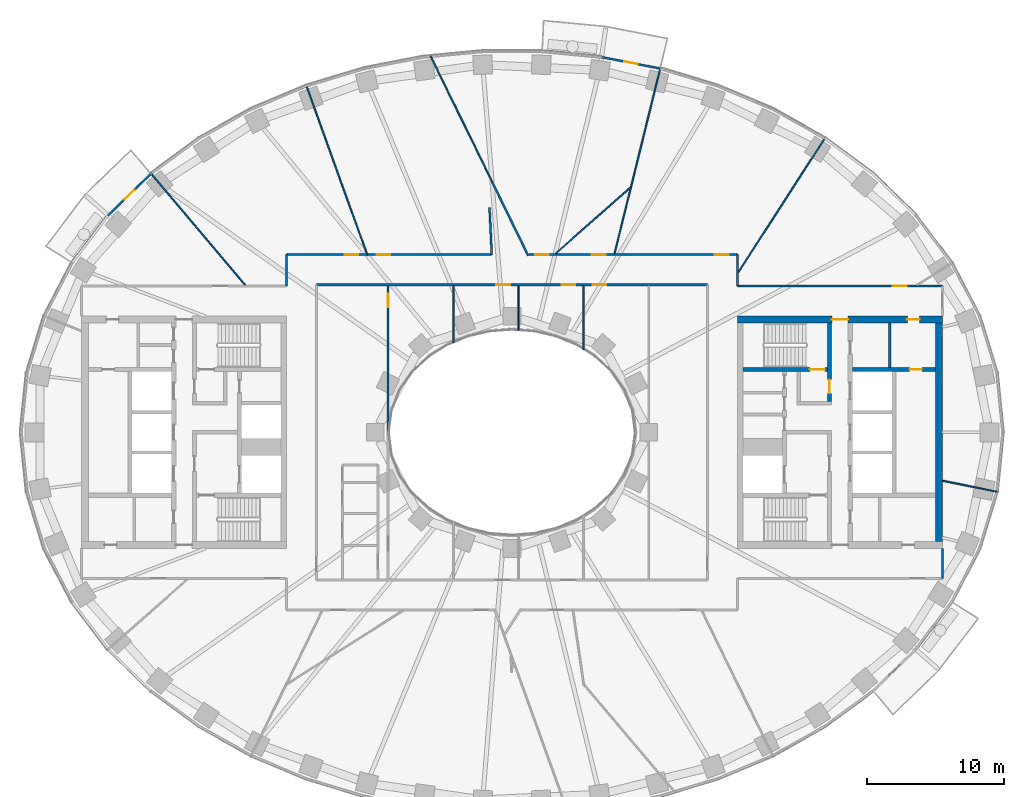
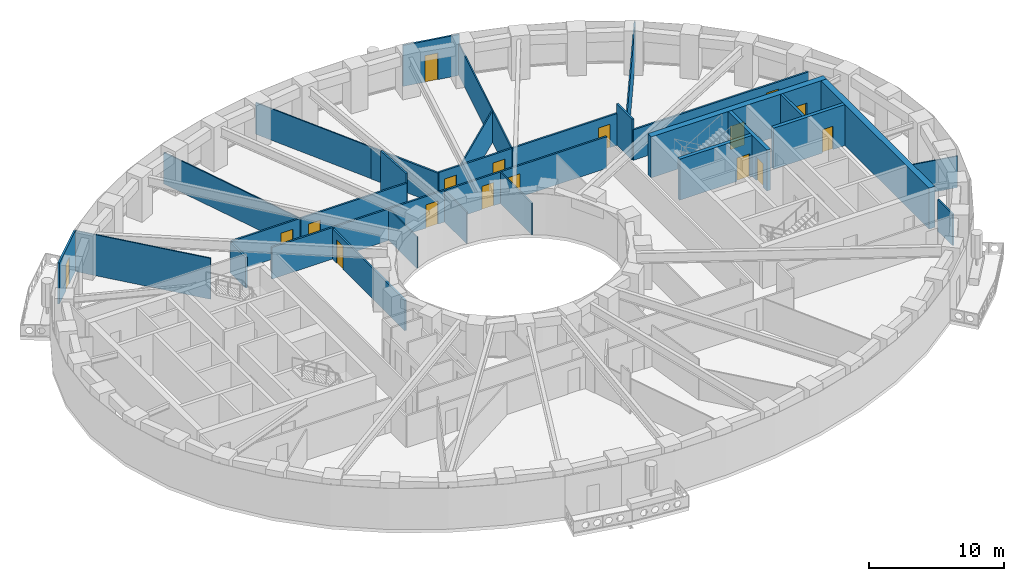
# One storey, part 6 of 16: 30 walls, 17 doors, 17 openings.
"""IFC4 building model written with IfcOpenShell, lengths in metres."""

import ifcopenshell
import ifcopenshell.guid

model = None  # the IFC model being written
_history = None  # IfcOwnerHistory: only IFC2X3 demands one
_inside = {}  # id of a spatial element -> (the spatial element, [elements in it])
_under = {}  # id of a project, library or spatial element -> (it, [spatial elements below it])
_declared = {}  # id of a project -> (the project, [libraries it declares])
_typed = {}  # id of a type object -> (the type object, [elements of that type])
_made_of = {}  # id of a material, layer set ... -> (it, [elements and type objects made of it])


def new_model(schema):
    """Start an empty IFC model of exactly this schema.

    Asked for "IFC4X3", IfcOpenShell would pick the latest addendum, in which some entities
    have other attributes; the version numbers below select the first issue.
    IFC2X3 requires an IfcOwnerHistory on every rooted entity: one is made here for all.
    """
    global model, _history
    if schema == "IFC4X3":
        model = ifcopenshell.file(schema_version=(4, 3, 0, 0))
    else:
        model = ifcopenshell.file(schema=schema)
    _inside.clear()
    _under.clear()
    _declared.clear()
    _typed.clear()
    _made_of.clear()
    _history = None
    if model.schema == "IFC2X3":
        org = make("IfcOrganization", Name="unknown")
        user = make(
            "IfcPersonAndOrganization",
            ThePerson=make("IfcPerson", FamilyName="unknown"),
            TheOrganization=org,
        )
        app = make(
            "IfcApplication",
            ApplicationDeveloper=org,
            Version="unknown",
            ApplicationFullName="unknown",
            ApplicationIdentifier="unknown",
        )
        _history = make(
            "IfcOwnerHistory",
            OwningUser=user,
            OwningApplication=app,
            ChangeAction="ADDED",
            CreationDate=0,
        )
    return model


def make(cls, **values):
    """One entity of the class cls with the attributes given. An attribute that is None is left unset."""
    return model.create_entity(
        cls, **{name: value for name, value in values.items() if value is not None}
    )


def rooted(cls, **values):
    """An entity with a GlobalId (a new one), such as an element, a storey or a relation."""
    return make(cls, GlobalId=ifcopenshell.guid.new(), OwnerHistory=_history, **values)


def si_unit(unit_type, name, prefix=None):
    """IfcSIUnit, for example si_unit("LENGTHUNIT", "METRE", prefix="MILLI")."""
    return make("IfcSIUnit", UnitType=unit_type, Prefix=prefix, Name=name)


def assignment(units):
    """IfcUnitAssignment: the units of a project."""
    return None if units is None else make("IfcUnitAssignment", Units=units)


def point(xyz):
    """IfcCartesianPoint."""
    return None if xyz is None else make("IfcCartesianPoint", Coordinates=xyz)


def direction(xyz):
    """IfcDirection."""
    return None if xyz is None else make("IfcDirection", DirectionRatios=xyz)


def frame(location, z_axis=None, x_axis=None):
    """IfcAxis2Placement3D, a coordinate frame: its origin and axes. An axis left out is left unset."""
    return make(
        "IfcAxis2Placement3D",
        Location=point(location),
        Axis=direction(z_axis),
        RefDirection=direction(x_axis),
    )


def frame_2d(location, x_axis=None):
    """IfcAxis2Placement2D, a coordinate frame in the plane: its origin and x axis."""
    return make(
        "IfcAxis2Placement2D", Location=point(location), RefDirection=direction(x_axis)
    )


def origin():
    """The frame at (0, 0, 0) with its axes left unset."""
    return frame((0.0, 0.0, 0.0))


def place(relative_to, where):
    """IfcLocalPlacement: puts the frame where relative to a parent placement (None: the world)."""
    return make(
        "IfcLocalPlacement", PlacementRelTo=relative_to, RelativePlacement=where
    )


def context(
    kind, dimensions, precision=None, world=None, true_north=None, identifier=None
):
    """IfcGeometricRepresentationContext, for example the 3D "Model" context."""
    return make(
        "IfcGeometricRepresentationContext",
        ContextIdentifier=identifier,
        ContextType=kind,
        CoordinateSpaceDimension=dimensions,
        Precision=precision,
        WorldCoordinateSystem=world,
        TrueNorth=true_north,
    )


def subcontext(parent, identifier, kind, view, scale=None):
    """IfcGeometricRepresentationSubContext, for example "Body" below "Model"."""
    return make(
        "IfcGeometricRepresentationSubContext",
        ContextIdentifier=identifier,
        ContextType=kind,
        ParentContext=parent,
        TargetScale=scale,
        TargetView=view,
    )


def project(units=None, contexts=None):
    """IfcProject with its units and contexts."""
    return rooted(
        "IfcProject",
        Name="project",
        RepresentationContexts=contexts,
        UnitsInContext=assignment(units),
    )


def spatial(cls, under=None, at=None, **own):
    """A site, building, storey or space (cls), placed at a placement, below another one or the project."""
    s = rooted(cls, ObjectPlacement=at, **own)
    if under is not None:
        _under.setdefault(under.id(), (under, []))[1].append(s)
    return s


def profile(cls, at=None, kind="AREA", **sizes):
    """A parametric profile (cls). Its sizes go by their IFC names, for example OverallWidth=200.0."""
    return make(cls, ProfileType=kind, Position=at, **sizes)


def rectangle(**sizes):
    """IfcRectangleProfileDef."""
    return profile("IfcRectangleProfileDef", **sizes)


def extrude(swept, where, along, depth):
    """IfcExtrudedAreaSolid: the profile swept, set in the frame where, extruded along a direction by depth."""
    return make(
        "IfcExtrudedAreaSolid",
        SweptArea=swept,
        Position=where,
        ExtrudedDirection=direction(along),
        Depth=depth,
    )


def shape(context_of_items, identifier, shape_type, items):
    """IfcShapeRepresentation: the items that make up one representation, for example the "Body"."""
    return make(
        "IfcShapeRepresentation",
        ContextOfItems=context_of_items,
        RepresentationIdentifier=identifier,
        RepresentationType=shape_type,
        Items=items,
    )


def material(Name=None, Category=None):
    """IfcMaterial."""
    return make("IfcMaterial", Name=Name, Category=Category)


def layer(
    of_material, thickness, ventilated=None, Name=None, Category=None, Priority=None
):
    """IfcMaterialLayer: one layer of a wall or slab, of a material (None: an air gap)."""
    return make(
        "IfcMaterialLayer",
        Material=of_material,
        LayerThickness=thickness,
        IsVentilated=ventilated,
        Name=Name,
        Category=Category,
        Priority=Priority,
    )


def layer_set(layers, Name=None):
    """IfcMaterialLayerSet."""
    return make("IfcMaterialLayerSet", MaterialLayers=layers, LayerSetName=Name)


def made_of(thing, what):
    """Note that an element or type object is made of a material, layer set ...; save() writes the relation."""
    if what is not None:
        _made_of.setdefault(what.id(), (what, []))[1].append(thing)
    return thing


def type_object(cls, material=None, **own):
    """A type object (cls), such as IfcWallType, which elements share."""
    return made_of(rooted(cls, **own), material)


def element(
    cls,
    number,
    at=None,
    inside=None,
    cuts=None,
    type_object=None,
    material=None,
    context=None,
    identifier="Body",
    shape_type=None,
    held_by="IfcProductDefinitionShape",
    body=None,
    shapes=None,
    **own,
):
    """One element of the class cls, such as IfcWall. Its Tag is "e" and its number.

    at: its placement. inside: the storey or other place that contains it. cuts: it is an
    opening in that element (IfcRelVoidsElement). A single representation is given by context,
    identifier, shape_type and body (its items); several are given by shapes. held_by: the class
    of the entity that holds the representations. save() writes the other relations.
    """
    e = rooted(cls, Tag="e%d" % number, ObjectPlacement=at, **own)
    if body is not None:
        shapes = [shape(context, identifier, shape_type, body)]
    if shapes is not None:
        e.Representation = make(held_by, Representations=shapes)
    if inside is not None:
        _inside.setdefault(inside.id(), (inside, []))[1].append(e)
    if cuts is not None:
        rooted(
            "IfcRelVoidsElement", RelatingBuildingElement=cuts, RelatedOpeningElement=e
        )
    if type_object is not None:
        _typed.setdefault(type_object.id(), (type_object, []))[1].append(e)
    return made_of(e, material)


def fill(opening, filler):
    """IfcRelFillsElement: the door or window that sits in an opening."""
    return rooted(
        "IfcRelFillsElement",
        RelatingOpeningElement=opening,
        RelatedBuildingElement=filler,
    )


def aggregate(whole, parts):
    """IfcRelAggregates: a whole, such as a stair, and the parts it consists of."""
    return rooted("IfcRelAggregates", RelatingObject=whole, RelatedObjects=parts)


def save(model, path):
    """Write the relations noted so far, then the file.

    IfcRelAggregates (storeys below a building ...), IfcRelContainedInSpatialStructure (elements
    in a storey), IfcRelDefinesByType, IfcRelAssociatesMaterial and IfcRelDeclares: one each for
    every whole, place, type object, material and project.
    """
    for whole, parts in _under.values():
        aggregate(whole, parts)
    for where, things in _inside.values():
        rooted(
            "IfcRelContainedInSpatialStructure",
            RelatedElements=things,
            RelatingStructure=where,
        )
    for kind, things in _typed.values():
        rooted("IfcRelDefinesByType", RelatedObjects=things, RelatingType=kind)
    for what, things in _made_of.values():
        rooted("IfcRelAssociatesMaterial", RelatedObjects=things, RelatingMaterial=what)
    for by, libraries in _declared.values():
        rooted("IfcRelDeclares", RelatingContext=by, RelatedDefinitions=libraries)
    model.write(path)


model = new_model("IFC4")

# Units and contexts
model_context = context("Model", 3, precision=1e-05, world=origin(), true_north=direction((0.0, 1.0)))
body_context = subcontext(model_context, "Body", "Model", "MODEL_VIEW")
ifc_project = project(units=[si_unit("LENGTHUNIT", "METRE"), si_unit("AREAUNIT", "SQUARE_METRE"), si_unit("VOLUMEUNIT", "CUBIC_METRE"), si_unit("PLANEANGLEUNIT", "RADIAN"), si_unit("MASSUNIT", "GRAM", prefix="KILO")], contexts=[model_context])

# Site, building, storey
site_placement = place(None, origin())
site = spatial("IfcSite", under=ifc_project, at=site_placement, CompositionType="ELEMENT")
building_placement = place(site_placement, origin())
building = spatial("IfcBuilding", under=site, at=building_placement, Name="Noorbagh Ring Tower", CompositionType="ELEMENT")
storey_placement = place(building_placement, frame((0.0, 0.0, 58.5)))
storey = spatial("IfcBuildingStorey", under=building, at=storey_placement, Name="L12", CompositionType="ELEMENT", Elevation=58.5)

# Wall
ifc_material_1 = material(Name="Gypsum board on steel studs", Category="steel")
ifc_layer_1 = layer(ifc_material_1, 0.199951171875)
ifc_layer_set_1 = layer_set([ifc_layer_1], Name="Gypsum board on steel studs")
wall_type_1 = type_object("IfcWallType", Name="CORE-PARTITION-200", PredefinedType="PARTITIONING", material=ifc_layer_set_1)
wall_1_placement = place(storey_placement, frame((27.64990234375, 4.75, 0.0), z_axis=(0.0, 0.0, 1.0), x_axis=(0.0, 1.0, 0.0)))
element("IfcWall", 1, at=wall_1_placement, inside=storey, type_object=wall_type_1, Name="Core partition E", PredefinedType="PARTITIONING", context=body_context, shape_type="SweptSolid", body=[
    extrude(rectangle(XDim=3.25, YDim=0.199951171875, at=frame_2d((1.625, 0.0))), origin(), (0.0, 0.0, 1.0), 3.699951171875),
])

# Wall, opening, door
ifc_material_2 = material(Name="Concrete C70/85", Category="concrete")
ifc_layer_2 = layer(ifc_material_2, 0.300048828125)
ifc_layer_set_2 = layer_set([ifc_layer_2], Name="Concrete C70/85")
wall_type_2 = type_object("IfcWallType", Name="CORE-WALL-300-C70-85-EI240", PredefinedType="SHEAR", material=ifc_layer_set_2)
wall_2_placement = place(storey_placement, frame((24.89990234375, 4.60009765625, 0.0), z_axis=(0.0, 0.0, 1.0), x_axis=(1.0, 0.0, 0.0)))
wall_2 = element("IfcWall", 2, at=wall_2_placement, inside=storey, type_object=wall_type_2, Name="Core wall E", PredefinedType="SHEAR", context=body_context, shape_type="SweptSolid", body=[
    extrude(rectangle(XDim=6.10009765625, YDim=0.300048828125, at=frame_2d((3.050048828125, 0.0))), origin(), (0.0, 0.0, 1.0), 3.699951171875),
])
opening_1_placement = place(wall_2_placement, frame((4.199951171875, 0.0, 0.0)))
opening_1 = element("IfcOpeningElement", 3, at=opening_1_placement, cuts=wall_2, Name="Opening L12-CE18", PredefinedType="OPENING", context=body_context, shape_type="SweptSolid", body=[
    extrude(rectangle(XDim=0.89990234375, YDim=2.10009765625, at=frame_2d((0.449951171875, 1.050048828125))), frame((0.0, 0.16015625, 0.0), z_axis=(0.0, -1.0, 0.0), x_axis=(1.0, 0.0, 0.0)), (0.0, 0.0, 1.0), 0.320068359375),
])
ifc_material_3 = material(Name="Steel door leaf", Category="steel")
door_type_1 = type_object("IfcDoorType", Name="CORE-DOOR-DROOM", OperationType="SINGLE_SWING_LEFT", PredefinedType="DOOR", material=ifc_material_3)
door_1_placement = place(opening_1_placement, origin())
door_1 = element("IfcDoor", 4, at=door_1_placement, inside=storey, type_object=door_type_1, Name="Core room door L12-CE18", OperationType="SINGLE_SWING_RIGHT", OverallHeight=2.10009765625, OverallWidth=0.89990234375, PredefinedType="DOOR", context=body_context, shape_type="SweptSolid", body=[
    extrude(rectangle(XDim=0.89990234375, YDim=2.10009765625, at=frame_2d((0.449951171875, 1.050048828125))), frame((0.0, 0.02490234375, 0.0), z_axis=(0.0, -1.0, 0.0), x_axis=(1.0, 0.0, 0.0)), (0.0, 0.0, 1.0), 0.050048828125),
])
fill(opening_1, door_1)

wall_3_placement = place(storey_placement, frame((23.22998046875, 2.25, 0.0), z_axis=(0.0, 0.0, 1.0), x_axis=(0.0, 1.0, 0.0)))
wall_3 = element("IfcWall", 5, at=wall_3_placement, inside=storey, type_object=wall_type_2, Name="Core wall E", PredefinedType="SHEAR", context=body_context, shape_type="SweptSolid", body=[
    extrude(rectangle(XDim=5.75, YDim=0.300048828125, at=frame_2d((2.875, 0.0))), origin(), (0.0, 0.0, 1.0), 3.699951171875),
])
opening_2_placement = place(wall_3_placement, frame((0.60009765625, 0.0, 0.0)))
opening_2 = element("IfcOpeningElement", 6, at=opening_2_placement, cuts=wall_3, Name="Opening L12-CE08", PredefinedType="OPENING", context=body_context, shape_type="SweptSolid", body=[
    extrude(rectangle(XDim=1.0, YDim=2.10009765625, at=frame_2d((0.5, 1.050048828125))), frame((0.0, 0.16015625, 0.0), z_axis=(0.0, -1.0, 0.0), x_axis=(1.0, 0.0, 0.0)), (0.0, 0.0, 1.0), 0.320068359375),
])
ifc_material_4 = material(Name="Steel door leaf", Category="steel")
door_type_2 = type_object("IfcDoorType", Name="CORE-DOOR-DVEST", OperationType="SINGLE_SWING_LEFT", PredefinedType="DOOR", material=ifc_material_4)
door_2_placement = place(opening_2_placement, origin())
door_2 = element("IfcDoor", 7, at=door_2_placement, inside=storey, type_object=door_type_2, Name="Stair vestibule door L12-CE08", OperationType="SINGLE_SWING_RIGHT", OverallHeight=2.10009765625, OverallWidth=1.0, PredefinedType="DOOR", context=body_context, shape_type="SweptSolid", body=[
    extrude(rectangle(XDim=1.0, YDim=2.10009765625, at=frame_2d((0.5, 1.050048828125))), frame((0.0, 0.02490234375, 0.0), z_axis=(0.0, -1.0, 0.0), x_axis=(1.0, 0.0, 0.0)), (0.0, 0.0, 1.0), 0.050048828125),
])
fill(opening_2, door_2)

wall_4_placement = place(storey_placement, frame((16.89990234375, 4.60009765625, 0.0), z_axis=(0.0, 0.0, 1.0), x_axis=(1.0, 0.0, 0.0)))
wall_4 = element("IfcWall", 8, at=wall_4_placement, inside=storey, type_object=wall_type_2, Name="Core wall E", PredefinedType="SHEAR", context=body_context, shape_type="SweptSolid", body=[
    extrude(rectangle(XDim=6.18017578125, YDim=0.300048828125, at=frame_2d((3.090087890625, 0.0))), origin(), (0.0, 0.0, 1.0), 3.699951171875),
])
opening_3_placement = place(wall_4_placement, frame((4.89990234375, 0.0, 0.0)))
opening_3 = element("IfcOpeningElement", 9, at=opening_3_placement, cuts=wall_4, Name="Opening L12-CE05", PredefinedType="OPENING", context=body_context, shape_type="SweptSolid", body=[
    extrude(rectangle(XDim=1.10009765625, YDim=2.10009765625, at=frame_2d((0.550048828125, 1.050048828125))), frame((0.0, 0.16015625, 0.0), z_axis=(0.0, -1.0, 0.0), x_axis=(1.0, 0.0, 0.0)), (0.0, 0.0, 1.0), 0.320068359375),
])
ifc_material_5 = material(Name="Steel door leaf", Category="steel")
door_type_3 = type_object("IfcDoorType", Name="CORE-DOOR-DSTAIR", OperationType="SINGLE_SWING_LEFT", PredefinedType="DOOR", material=ifc_material_5)
door_3_placement = place(opening_3_placement, origin())
door_3 = element("IfcDoor", 10, at=door_3_placement, inside=storey, type_object=door_type_3, Name="Stair door ST3 L12-CE05", OperationType="SINGLE_SWING_LEFT", OverallHeight=2.10009765625, OverallWidth=1.10009765625, PredefinedType="DOOR", context=body_context, shape_type="SweptSolid", body=[
    extrude(rectangle(XDim=1.10009765625, YDim=2.10009765625, at=frame_2d((0.550048828125, 1.050048828125))), frame((0.0, 0.02490234375, 0.0), z_axis=(0.0, -1.0, 0.0), x_axis=(1.0, 0.0, 0.0)), (0.0, 0.0, 1.0), 0.050048828125),
])
fill(opening_3, door_3)

# Wall, openings, doors
ifc_material_6 = material(Name="Concrete C70/85", Category="concrete")
ifc_layer_3 = layer(ifc_material_6, 0.5)
ifc_layer_set_3 = layer_set([ifc_layer_3], Name="Concrete C70/85")
wall_type_3 = type_object("IfcWallType", Name="CORE-WALL-500-C70-85-EI240", PredefinedType="SHEAR", material=ifc_layer_set_3)
wall_5_placement = place(storey_placement, frame((16.5, 8.25, 0.0), z_axis=(0.0, 0.0, 1.0), x_axis=(1.0, 0.0, 0.0)))
wall_5 = element("IfcWall", 11, at=wall_5_placement, inside=storey, type_object=wall_type_3, Name="Core wall E", PredefinedType="SHEAR", context=body_context, shape_type="SweptSolid", body=[
    extrude(rectangle(XDim=15.0, YDim=0.5, at=frame_2d((7.5, 0.0))), origin(), (0.0, 0.0, 1.0), 3.699951171875),
])
opening_4_placement = place(wall_5_placement, frame((6.89990234375, 0.0, 0.0)))
opening_4 = element("IfcOpeningElement", 12, at=opening_4_placement, cuts=wall_5, Name="Opening L12-CE09", PredefinedType="OPENING", context=body_context, shape_type="SweptSolid", body=[
    extrude(rectangle(XDim=1.199951171875, YDim=2.10009765625, at=frame_2d((0.60009765625, 1.050048828125))), frame((0.0, 0.260009765625, 0.0), z_axis=(0.0, -1.0, 0.0), x_axis=(1.0, 0.0, 0.0)), (0.0, 0.0, 1.0), 0.52001953125),
])
opening_5_placement = place(wall_5_placement, frame((12.425048828125, 0.0, 0.0)))
opening_5 = element("IfcOpeningElement", 13, at=opening_5_placement, cuts=wall_5, Name="Opening L12-CE15", PredefinedType="OPENING", context=body_context, shape_type="SweptSolid", body=[
    extrude(rectangle(XDim=0.89990234375, YDim=2.10009765625, at=frame_2d((0.449951171875, 1.050048828125))), frame((0.0, 0.260009765625, 0.0), z_axis=(0.0, -1.0, 0.0), x_axis=(1.0, 0.0, 0.0)), (0.0, 0.0, 1.0), 0.52001953125),
])
door_4_placement = place(opening_5_placement, origin())
door_4 = element("IfcDoor", 14, at=door_4_placement, inside=storey, type_object=door_type_1, Name="Core room door L12-CE15", OperationType="SINGLE_SWING_LEFT", OverallHeight=2.10009765625, OverallWidth=0.89990234375, PredefinedType="DOOR", context=body_context, shape_type="SweptSolid", body=[
    extrude(rectangle(XDim=0.89990234375, YDim=2.10009765625, at=frame_2d((0.449951171875, 1.050048828125))), frame((0.0, 0.02490234375, 0.0), z_axis=(0.0, -1.0, 0.0), x_axis=(1.0, 0.0, 0.0)), (0.0, 0.0, 1.0), 0.050048828125),
])
fill(opening_5, door_4)
ifc_material_7 = material(Name="Steel door leaf", Category="steel")
door_type_4 = type_object("IfcDoorType", Name="CORE-DOOR-PORT", OperationType="DOUBLE_DOOR_DOUBLE_SWING", PredefinedType="DOOR", material=ifc_material_7)
door_5_placement = place(opening_4_placement, origin())
door_5 = element("IfcDoor", 15, at=door_5_placement, inside=storey, type_object=door_type_4, Name="Core entrance door L12-CE09", OperationType="DOUBLE_DOOR_DOUBLE_SWING", OverallHeight=2.10009765625, OverallWidth=1.199951171875, PredefinedType="DOOR", context=body_context, shape_type="SweptSolid", body=[
    extrude(rectangle(XDim=1.199951171875, YDim=2.10009765625, at=frame_2d((0.60009765625, 1.050048828125))), frame((0.0, 0.02490234375, 0.0), z_axis=(0.0, -1.0, 0.0), x_axis=(1.0, 0.0, 0.0)), (0.0, 0.0, 1.0), 0.050048828125),
])
fill(opening_4, door_5)

# Walls
wall_6_placement = place(storey_placement, frame((31.25, -8.0, 0.0), z_axis=(0.0, 0.0, 1.0), x_axis=(0.0, 1.0, 0.0)))
element("IfcWall", 16, at=wall_6_placement, inside=storey, type_object=wall_type_3, Name="Core wall E", PredefinedType="SHEAR", context=body_context, shape_type="SweptSolid", body=[
    extrude(rectangle(XDim=16.0, YDim=0.5, at=frame_2d((8.0, 0.0))), origin(), (0.0, 0.0, 1.0), 3.699951171875),
])
ifc_material_8 = material(Name="Gypsum board on steel studs", Category="steel")
ifc_layer_4 = layer(ifc_material_8, 0.14990234375)
ifc_layer_set_4 = layer_set([ifc_layer_4], Name="Gypsum board on steel studs")
wall_type_4 = type_object("IfcWallType", Name="CORRIDOR PARTITION 150 EI 30", PredefinedType="PARTITIONING", material=ifc_layer_set_4)
wall_7_placement = place(storey_placement, frame((-16.5, 10.699951171875, 0.0), z_axis=(0.0, 0.0, 1.0), x_axis=(0.0, 1.0, 0.0)))
element("IfcWall", 17, at=wall_7_placement, inside=storey, type_object=wall_type_4, Name="L12/wall/P12", PredefinedType="PARTITIONING", context=body_context, shape_type="SweptSolid", body=[
    extrude(rectangle(XDim=2.300048828125, YDim=0.14990234375, at=frame_2d((1.14990234375, 0.0))), origin(), (0.0, 0.0, 1.0), 2.75),
])

# Wall, opening, door
wall_8_placement = place(storey_placement, frame((-16.5, 13.0, 0.0), z_axis=(0.0, 0.0, 1.0), x_axis=(1.0, 0.0, 0.0)))
wall_8 = element("IfcWall", 18, at=wall_8_placement, inside=storey, type_object=wall_type_4, Name="L12/wall/P13", PredefinedType="PARTITIONING", context=body_context, shape_type="SweptSolid", body=[
    extrude(rectangle(XDim=5.89306640625, YDim=0.14990234375, at=frame_2d((2.946533203125, 0.0))), origin(), (0.0, 0.0, 1.0), 2.85009765625),
])
opening_6_placement = place(wall_8_placement, frame((4.2548828125, 0.0, 0.0)))
opening_6 = element("IfcOpeningElement", 19, at=opening_6_placement, cuts=wall_8, Name="Opening D1", PredefinedType="OPENING", context=body_context, shape_type="SweptSolid", body=[
    extrude(rectangle(XDim=1.0, YDim=2.10009765625, at=frame_2d((0.5, 1.050048828125))), frame((0.0, 0.0849609375, 0.0), z_axis=(0.0, -1.0, 0.0), x_axis=(1.0, 0.0, 0.0)), (0.0, 0.0, 1.0), 0.169921875),
])
ifc_material_9 = material(Name="Timber, painted", Category="wood")
door_type_5 = type_object("IfcDoorType", Name="DOOR 1000 X 2100 FD30", OperationType="SINGLE_SWING_LEFT", PredefinedType="DOOR", material=ifc_material_9)
door_6_placement = place(opening_6_placement, origin())
door_6 = element("IfcDoor", 20, at=door_6_placement, inside=storey, type_object=door_type_5, Name="L12-D09", OperationType="SINGLE_SWING_LEFT", OverallHeight=2.10009765625, OverallWidth=1.0, PredefinedType="DOOR", context=body_context, shape_type="SweptSolid", body=[
    extrude(rectangle(XDim=1.0, YDim=2.10009765625, at=frame_2d((0.5, 1.050048828125))), frame((0.0, 0.02490234375, 0.0), z_axis=(0.0, -1.0, 0.0), x_axis=(1.0, 0.0, 0.0)), (0.0, 0.0, 1.0), 0.050048828125),
])
fill(opening_6, door_6)

# Wall, openings, doors
wall_9_placement = place(storey_placement, frame((-14.300048828125, 10.800048828125, 0.0), z_axis=(0.0, 0.0, 1.0), x_axis=(1.0, 0.0, 0.0)))
wall_9 = element("IfcWall", 21, at=wall_9_placement, inside=storey, type_object=wall_type_4, Name="L12/wall/P17", PredefinedType="PARTITIONING", context=body_context, shape_type="SweptSolid", body=[
    extrude(rectangle(XDim=28.60009765625, YDim=0.14990234375, at=frame_2d((14.300048828125, 0.0))), origin(), (0.0, 0.0, 1.0), 2.85009765625),
])
opening_7_placement = place(wall_9_placement, frame((13.159912109375, 0.0, 0.0)))
opening_7 = element("IfcOpeningElement", 22, at=opening_7_placement, cuts=wall_9, Name="Opening D1", PredefinedType="OPENING", context=body_context, shape_type="SweptSolid", body=[
    extrude(rectangle(XDim=1.0, YDim=2.10009765625, at=frame_2d((0.5, 1.050048828125))), frame((0.0, 0.0849609375, 0.0), z_axis=(0.0, -1.0, 0.0), x_axis=(1.0, 0.0, 0.0)), (0.0, 0.0, 1.0), 0.169921875),
])
opening_8_placement = place(wall_9_placement, frame((17.927001953125, 0.0, 0.0)))
opening_8 = element("IfcOpeningElement", 23, at=opening_8_placement, cuts=wall_9, Name="Opening D1", PredefinedType="OPENING", context=body_context, shape_type="SweptSolid", body=[
    extrude(rectangle(XDim=1.0, YDim=2.10009765625, at=frame_2d((0.5, 1.050048828125))), frame((0.0, 0.0849609375, 0.0), z_axis=(0.0, -1.0, 0.0), x_axis=(1.0, 0.0, 0.0)), (0.0, 0.0, 1.0), 0.169921875),
])
opening_9_placement = place(wall_9_placement, frame((20.193115234375, 0.0, 0.0)))
opening_9 = element("IfcOpeningElement", 24, at=opening_9_placement, cuts=wall_9, Name="Opening D1", PredefinedType="OPENING", context=body_context, shape_type="SweptSolid", body=[
    extrude(rectangle(XDim=1.0, YDim=2.10009765625, at=frame_2d((0.5, 1.050048828125))), frame((0.0, 0.0849609375, 0.0), z_axis=(0.0, -1.0, 0.0), x_axis=(1.0, 0.0, 0.0)), (0.0, 0.0, 1.0), 0.169921875),
])
door_7_placement = place(opening_7_placement, origin())
door_7 = element("IfcDoor", 25, at=door_7_placement, inside=storey, type_object=door_type_5, Name="L12-D24", OperationType="SINGLE_SWING_RIGHT", OverallHeight=2.10009765625, OverallWidth=1.0, PredefinedType="DOOR", context=body_context, shape_type="SweptSolid", body=[
    extrude(rectangle(XDim=1.0, YDim=2.10009765625, at=frame_2d((0.5, 1.050048828125))), frame((0.0, 0.02490234375, 0.0), z_axis=(0.0, -1.0, 0.0), x_axis=(1.0, 0.0, 0.0)), (0.0, 0.0, 1.0), 0.050048828125),
])
fill(opening_7, door_7)
door_8_placement = place(opening_8_placement, origin())
door_8 = element("IfcDoor", 26, at=door_8_placement, inside=storey, type_object=door_type_5, Name="L12-D26", OperationType="SINGLE_SWING_RIGHT", OverallHeight=2.10009765625, OverallWidth=1.0, PredefinedType="DOOR", context=body_context, shape_type="SweptSolid", body=[
    extrude(rectangle(XDim=1.0, YDim=2.10009765625, at=frame_2d((0.5, 1.050048828125))), frame((0.0, 0.02490234375, 0.0), z_axis=(0.0, -1.0, 0.0), x_axis=(1.0, 0.0, 0.0)), (0.0, 0.0, 1.0), 0.050048828125),
])
fill(opening_8, door_8)
door_9_placement = place(opening_9_placement, origin())
door_9 = element("IfcDoor", 27, at=door_9_placement, inside=storey, type_object=door_type_5, Name="L12-D27", OperationType="SINGLE_SWING_LEFT", OverallHeight=2.10009765625, OverallWidth=1.0, PredefinedType="DOOR", context=body_context, shape_type="SweptSolid", body=[
    extrude(rectangle(XDim=1.0, YDim=2.10009765625, at=frame_2d((0.5, 1.050048828125))), frame((0.0, 0.02490234375, 0.0), z_axis=(0.0, -1.0, 0.0), x_axis=(1.0, 0.0, 0.0)), (0.0, 0.0, 1.0), 0.050048828125),
])
fill(opening_9, door_9)

# Wall, opening, door
wall_10_placement = place(storey_placement, frame((-10.5419921875, 13.0, 0.0), z_axis=(0.0, 0.0, 1.0), x_axis=(1.0, 0.0, 0.0)))
wall_10 = element("IfcWall", 28, at=wall_10_placement, inside=storey, type_object=wall_type_4, Name="L12/wall/P24", PredefinedType="PARTITIONING", context=body_context, shape_type="SweptSolid", body=[
    extrude(rectangle(XDim=9.041015625, YDim=0.14990234375, at=frame_2d((4.5205078125, 0.0))), origin(), (0.0, 0.0, 1.0), 2.85009765625),
])
opening_10_placement = place(wall_10_placement, frame((0.64111328125, 0.0, 0.0)))
opening_10 = element("IfcOpeningElement", 29, at=opening_10_placement, cuts=wall_10, Name="Opening D1", PredefinedType="OPENING", context=body_context, shape_type="SweptSolid", body=[
    extrude(rectangle(XDim=1.0, YDim=2.10009765625, at=frame_2d((0.5, 1.050048828125))), frame((0.0, 0.0849609375, 0.0), z_axis=(0.0, -1.0, 0.0), x_axis=(1.0, 0.0, 0.0)), (0.0, 0.0, 1.0), 0.169921875),
])
door_10_placement = place(opening_10_placement, origin())
door_10 = element("IfcDoor", 30, at=door_10_placement, inside=storey, type_object=door_type_5, Name="L12-D12", OperationType="SINGLE_SWING_RIGHT", OverallHeight=2.10009765625, OverallWidth=1.0, PredefinedType="DOOR", context=body_context, shape_type="SweptSolid", body=[
    extrude(rectangle(XDim=1.0, YDim=2.10009765625, at=frame_2d((0.5, 1.050048828125))), frame((0.0, 0.02490234375, 0.0), z_axis=(0.0, -1.0, 0.0), x_axis=(1.0, 0.0, 0.0)), (0.0, 0.0, 1.0), 0.050048828125),
])
fill(opening_10, door_10)

wall_11_placement = place(storey_placement, frame((-9.056884765625, 0.044921875, 0.0), z_axis=(0.0, 0.0, 1.0), x_axis=(0.0, 1.0, 0.0)))
wall_11 = element("IfcWall", 31, at=wall_11_placement, inside=storey, type_object=wall_type_4, Name="L12/wall/P28", PredefinedType="PARTITIONING", context=body_context, shape_type="SweptSolid", body=[
    extrude(rectangle(XDim=10.68017578125, YDim=0.14990234375, at=frame_2d((5.340087890625, 0.0))), origin(), (0.0, 0.0, 1.0), 2.75),
])
opening_11_placement = place(wall_11_placement, frame((9.110107421875, 0.0, 0.0)))
opening_11 = element("IfcOpeningElement", 32, at=opening_11_placement, cuts=wall_11, Name="Opening D1", PredefinedType="OPENING", context=body_context, shape_type="SweptSolid", body=[
    extrude(rectangle(XDim=1.0, YDim=2.10009765625, at=frame_2d((0.5, 1.050048828125))), frame((0.0, 0.0849609375, 0.0), z_axis=(0.0, -1.0, 0.0), x_axis=(1.0, 0.0, 0.0)), (0.0, 0.0, 1.0), 0.169921875),
])
door_11_placement = place(opening_11_placement, origin())
door_11 = element("IfcDoor", 33, at=door_11_placement, inside=storey, type_object=door_type_5, Name="L12-D22", OperationType="SINGLE_SWING_RIGHT", OverallHeight=2.10009765625, OverallWidth=1.0, PredefinedType="DOOR", context=body_context, shape_type="SweptSolid", body=[
    extrude(rectangle(XDim=1.0, YDim=2.10009765625, at=frame_2d((0.5, 1.050048828125))), frame((0.0, 0.02490234375, 0.0), z_axis=(0.0, -1.0, 0.0), x_axis=(1.0, 0.0, 0.0)), (0.0, 0.0, 1.0), 0.050048828125),
])
fill(opening_11, door_11)

# Walls
wall_12_placement = place(storey_placement, frame((-1.64599609375, 16.4560546875, 0.0), z_axis=(0.0, 0.0, 1.0), x_axis=(0.047417639272, -0.9988751511, 0.0)))
element("IfcWall", 34, at=wall_12_placement, inside=storey, type_object=wall_type_4, Name="L12/wall/P32", PredefinedType="PARTITIONING", context=body_context, shape_type="SweptSolid", body=[
    extrude(rectangle(XDim=3.4599609375, YDim=0.14990234375, at=frame_2d((1.72998046875, 0.0))), origin(), (0.0, 0.0, 1.0), 3.699951171875),
])
wall_13_placement = place(storey_placement, frame((-1.43701171875, 18.2900390625, 0.0), z_axis=(0.0, 0.0, 1.0), x_axis=(0.439496028197, -0.898244533075, 0.0)))
element("IfcWall", 35, at=wall_13_placement, inside=storey, type_object=wall_type_4, Name="L12/wall/P33", PredefinedType="PARTITIONING", context=body_context, shape_type="SweptSolid", body=[
    extrude(rectangle(XDim=5.97265625, YDim=0.14990234375, at=frame_2d((2.986328125, 0.0))), origin(), (0.0, 0.0, 1.0), 2.85009765625),
])

# Wall, openings, doors
wall_14_placement = place(storey_placement, frame((1.23291015625, 13.0, 0.0), z_axis=(0.0, 0.0, 1.0), x_axis=(1.0, 0.0, 0.0)))
wall_14 = element("IfcWall", 36, at=wall_14_placement, inside=storey, type_object=wall_type_4, Name="L12/wall/P42", PredefinedType="PARTITIONING", context=body_context, shape_type="SweptSolid", body=[
    extrude(rectangle(XDim=6.25, YDim=0.14990234375, at=frame_2d((3.125, 0.0))), origin(), (0.0, 0.0, 1.0), 2.85009765625),
])
opening_12_placement = place(wall_14_placement, frame((0.470947265625, 0.0, 0.0)))
opening_12 = element("IfcOpeningElement", 37, at=opening_12_placement, cuts=wall_14, Name="Opening D1", PredefinedType="OPENING", context=body_context, shape_type="SweptSolid", body=[
    extrude(rectangle(XDim=1.0, YDim=2.10009765625, at=frame_2d((0.5, 1.050048828125))), frame((0.0, 0.0849609375, 0.0), z_axis=(0.0, -1.0, 0.0), x_axis=(1.0, 0.0, 0.0)), (0.0, 0.0, 1.0), 0.169921875),
])
opening_13_placement = place(wall_14_placement, frame((4.615966796875, 0.0, 0.0)))
opening_13 = element("IfcOpeningElement", 38, at=opening_13_placement, cuts=wall_14, Name="Opening D1", PredefinedType="OPENING", context=body_context, shape_type="SweptSolid", body=[
    extrude(rectangle(XDim=1.0, YDim=2.10009765625, at=frame_2d((0.5, 1.050048828125))), frame((0.0, 0.0849609375, 0.0), z_axis=(0.0, -1.0, 0.0), x_axis=(1.0, 0.0, 0.0)), (0.0, 0.0, 1.0), 0.169921875),
])
door_12_placement = place(opening_12_placement, origin())
door_12 = element("IfcDoor", 39, at=door_12_placement, inside=storey, type_object=door_type_5, Name="L12-D13", OperationType="SINGLE_SWING_LEFT", OverallHeight=2.10009765625, OverallWidth=1.0, PredefinedType="DOOR", context=body_context, shape_type="SweptSolid", body=[
    extrude(rectangle(XDim=1.0, YDim=2.10009765625, at=frame_2d((0.5, 1.050048828125))), frame((0.0, 0.02490234375, 0.0), z_axis=(0.0, -1.0, 0.0), x_axis=(1.0, 0.0, 0.0)), (0.0, 0.0, 1.0), 0.050048828125),
])
fill(opening_12, door_12)
door_13_placement = place(opening_13_placement, origin())
door_13 = element("IfcDoor", 40, at=door_13_placement, inside=storey, type_object=door_type_5, Name="L12-D15", OperationType="SINGLE_SWING_LEFT", OverallHeight=2.10009765625, OverallWidth=1.0, PredefinedType="DOOR", context=body_context, shape_type="SweptSolid", body=[
    extrude(rectangle(XDim=1.0, YDim=2.10009765625, at=frame_2d((0.5, 1.050048828125))), frame((0.0, 0.02490234375, 0.0), z_axis=(0.0, -1.0, 0.0), x_axis=(1.0, 0.0, 0.0)), (0.0, 0.0, 1.0), 0.050048828125),
])
fill(opening_13, door_13)

# Wall, opening, door
wall_15_placement = place(storey_placement, frame((7.4990234375, 13.0, 0.0), z_axis=(0.0, 0.0, 1.0), x_axis=(1.0, 0.0, 0.0)))
wall_15 = element("IfcWall", 41, at=wall_15_placement, inside=storey, type_object=wall_type_4, Name="L12/wall/P50", PredefinedType="PARTITIONING", context=body_context, shape_type="SweptSolid", body=[
    extrude(rectangle(XDim=9.0009765625, YDim=0.14990234375, at=frame_2d((4.50048828125, 0.0))), origin(), (0.0, 0.0, 1.0), 2.85009765625),
])
opening_14_placement = place(wall_15_placement, frame((7.35107421875, 0.0, 0.0)))
opening_14 = element("IfcOpeningElement", 42, at=opening_14_placement, cuts=wall_15, Name="Opening D1", PredefinedType="OPENING", context=body_context, shape_type="SweptSolid", body=[
    extrude(rectangle(XDim=1.0, YDim=2.10009765625, at=frame_2d((0.5, 1.050048828125))), frame((0.0, 0.0849609375, 0.0), z_axis=(0.0, -1.0, 0.0), x_axis=(1.0, 0.0, 0.0)), (0.0, 0.0, 1.0), 0.169921875),
])
door_14_placement = place(opening_14_placement, origin())
door_14 = element("IfcDoor", 43, at=door_14_placement, inside=storey, type_object=door_type_5, Name="L12-D17", OperationType="SINGLE_SWING_LEFT", OverallHeight=2.10009765625, OverallWidth=1.0, PredefinedType="DOOR", context=body_context, shape_type="SweptSolid", body=[
    extrude(rectangle(XDim=1.0, YDim=2.10009765625, at=frame_2d((0.5, 1.050048828125))), frame((0.0, 0.02490234375, 0.0), z_axis=(0.0, -1.0, 0.0), x_axis=(1.0, 0.0, 0.0)), (0.0, 0.0, 1.0), 0.050048828125),
])
fill(opening_14, door_14)

# Wall
wall_16_placement = place(storey_placement, frame((16.5, 10.699951171875, 0.0), z_axis=(0.0, 0.0, 1.0), x_axis=(0.0, 1.0, 0.0)))
element("IfcWall", 44, at=wall_16_placement, inside=storey, type_object=wall_type_4, Name="L12/wall/P56", PredefinedType="PARTITIONING", context=body_context, shape_type="SweptSolid", body=[
    extrude(rectangle(XDim=2.300048828125, YDim=0.14990234375, at=frame_2d((1.14990234375, 0.0))), origin(), (0.0, 0.0, 1.0), 3.699951171875),
])

# Wall, opening, door
wall_17_placement = place(storey_placement, frame((16.5, 10.699951171875, 0.0), z_axis=(0.0, 0.0, 1.0), x_axis=(1.0, 0.0, 0.0)))
wall_17 = element("IfcWall", 45, at=wall_17_placement, inside=storey, type_object=wall_type_4, Name="L12/wall/P57", PredefinedType="PARTITIONING", context=body_context, shape_type="SweptSolid", body=[
    extrude(rectangle(XDim=15.0, YDim=0.14990234375, at=frame_2d((7.5, 0.0))), origin(), (0.0, 0.0, 1.0), 2.75),
])
opening_15_placement = place(wall_17_placement, frame((11.37109375, 0.0, 0.0)))
opening_15 = element("IfcOpeningElement", 46, at=opening_15_placement, cuts=wall_17, Name="Opening D1", PredefinedType="OPENING", context=body_context, shape_type="SweptSolid", body=[
    extrude(rectangle(XDim=1.0, YDim=2.10009765625, at=frame_2d((0.5, 1.050048828125))), frame((0.0, 0.0849609375, 0.0), z_axis=(0.0, -1.0, 0.0), x_axis=(1.0, 0.0, 0.0)), (0.0, 0.0, 1.0), 0.169921875),
])
door_15_placement = place(opening_15_placement, origin())
door_15 = element("IfcDoor", 47, at=door_15_placement, inside=storey, type_object=door_type_5, Name="L12-D19", OperationType="SINGLE_SWING_LEFT", OverallHeight=2.10009765625, OverallWidth=1.0, PredefinedType="DOOR", context=body_context, shape_type="SweptSolid", body=[
    extrude(rectangle(XDim=1.0, YDim=2.10009765625, at=frame_2d((0.5, 1.050048828125))), frame((0.0, 0.02490234375, 0.0), z_axis=(0.0, -1.0, 0.0), x_axis=(1.0, 0.0, 0.0)), (0.0, 0.0, 1.0), 0.050048828125),
])
fill(opening_15, door_15)

# Wall
wall_18_placement = place(storey_placement, frame((31.5, -10.699951171875, 0.0), z_axis=(0.0, 0.0, 1.0), x_axis=(0.0, 1.0, 0.0)))
element("IfcWall", 48, at=wall_18_placement, inside=storey, type_object=wall_type_4, Name="L12/wall/P60", PredefinedType="PARTITIONING", context=body_context, shape_type="SweptSolid", body=[
    extrude(rectangle(XDim=2.199951171875, YDim=0.14990234375, at=frame_2d((1.10009765625, 0.0))), origin(), (0.0, 0.0, 1.0), 2.85009765625),
])

# Wall, opening, door
ifc_material_10 = material(Name="Insulated aluminium clad panel", Category="aluminium")
ifc_layer_5 = layer(ifc_material_10, 0.14990234375)
ifc_layer_set_5 = layer_set([ifc_layer_5], Name="Insulated aluminium clad panel")
wall_type_5 = type_object("IfcWallType", Name="ENV-WALL-DOOR", PredefinedType="STANDARD", material=ifc_layer_set_5)
wall_19_placement = place(storey_placement, frame((10.87060546875, 26.616943359375, 0.0), z_axis=(0.0, 0.0, 1.0), x_axis=(-0.981631174778, 0.190788460615, 0.0)))
wall_19 = element("IfcWall", 49, at=wall_19_placement, inside=storey, type_object=wall_type_5, Name="Balcony door wall chord 10", PredefinedType="STANDARD", context=body_context, shape_type="SweptSolid", body=[
    extrude(rectangle(XDim=4.42626953125, YDim=0.14990234375, at=frame_2d((2.213134765625, 0.0))), origin(), (0.0, 0.0, 1.0), 3.699951171875),
])
opening_16_placement = place(wall_19_placement, frame((1.713134765625, 0.0, 0.0)))
opening_16 = element("IfcOpeningElement", 50, at=opening_16_placement, cuts=wall_19, Name="Opening D-BL", PredefinedType="OPENING", context=body_context, shape_type="SweptSolid", body=[
    extrude(rectangle(XDim=1.0, YDim=2.39990234375, at=frame_2d((0.5, 1.199951171875))), frame((0.0, 0.0849609375, 0.0), z_axis=(0.0, -1.0, 0.0), x_axis=(1.0, 0.0, 0.0)), (0.0, 0.0, 1.0), 0.169921875),
])
ifc_material_11 = material(Name="Aluminium and glass", Category="aluminium")
door_type_6 = type_object("IfcDoorType", Name="ENV-DOOR-BALCONY", OperationType="SINGLE_SWING_LEFT", PredefinedType="DOOR", material=ifc_material_11)
door_16_placement = place(opening_16_placement, origin())
door_16 = element("IfcDoor", 51, at=door_16_placement, inside=storey, type_object=door_type_6, Name="Balcony door chord 10", OperationType="SINGLE_SWING_LEFT", OverallHeight=2.39990234375, OverallWidth=1.0, PredefinedType="DOOR", context=body_context, shape_type="SweptSolid", body=[
    extrude(rectangle(XDim=1.0, YDim=2.39990234375, at=frame_2d((0.5, 1.199951171875))), frame((0.0, 0.02490234375, 0.0), z_axis=(0.0, -1.0, 0.0), x_axis=(1.0, 0.0, 0.0)), (0.0, 0.0, 1.0), 0.050048828125),
])
fill(opening_16, door_16)

wall_20_placement = place(storey_placement, frame((-26.396484375, 18.943359375, 0.0), z_axis=(0.0, 0.0, 1.0), x_axis=(-0.717214761864, -0.696852197647, 0.0)))
wall_20 = element("IfcWall", 52, at=wall_20_placement, inside=storey, type_object=wall_type_5, Name="Balcony door wall chord 19", PredefinedType="STANDARD", context=body_context, shape_type="SweptSolid", body=[
    extrude(rectangle(XDim=4.424072265625, YDim=0.14990234375, at=frame_2d((2.2119140625, 0.0))), origin(), (0.0, 0.0, 1.0), 3.699951171875),
])
opening_17_placement = place(wall_20_placement, frame((1.712158203125, 0.0, 0.0)))
opening_17 = element("IfcOpeningElement", 53, at=opening_17_placement, cuts=wall_20, Name="Opening D-BL", PredefinedType="OPENING", context=body_context, shape_type="SweptSolid", body=[
    extrude(rectangle(XDim=1.0, YDim=2.39990234375, at=frame_2d((0.5, 1.199951171875))), frame((0.0, 0.0849609375, 0.0), z_axis=(0.0, -1.0, 0.0), x_axis=(1.0, 0.0, 0.0)), (0.0, 0.0, 1.0), 0.169921875),
])
door_17_placement = place(opening_17_placement, origin())
door_17 = element("IfcDoor", 54, at=door_17_placement, inside=storey, type_object=door_type_6, Name="Balcony door chord 19", OperationType="SINGLE_SWING_LEFT", OverallHeight=2.39990234375, OverallWidth=1.0, PredefinedType="DOOR", context=body_context, shape_type="SweptSolid", body=[
    extrude(rectangle(XDim=1.0, YDim=2.39990234375, at=frame_2d((0.5, 1.199951171875))), frame((0.0, 0.02490234375, 0.0), z_axis=(0.0, -1.0, 0.0), x_axis=(1.0, 0.0, 0.0)), (0.0, 0.0, 1.0), 0.050048828125),
])
fill(opening_17, door_17)

# Walls
ifc_material_12 = material(Name="Gypsum board on steel studs", Category="steel")
ifc_layer_6 = layer(ifc_material_12, 0.10009765625)
ifc_layer_set_6 = layer_set([ifc_layer_6], Name="Gypsum board on steel studs")
wall_type_6 = type_object("IfcWallType", Name="PARTITION 100 GYPSUM", PredefinedType="PARTITIONING", material=ifc_layer_set_6)
wall_21_placement = place(storey_placement, frame((-26.429931640625, 18.945068359375, 0.0), z_axis=(0.0, 0.0, 1.0), x_axis=(0.646400187952, -0.762998556365, 0.0)))
element("IfcWall", 55, at=wall_21_placement, inside=storey, type_object=wall_type_6, Name="L12/wall/P07", PredefinedType="PARTITIONING", context=body_context, shape_type="SweptSolid", body=[
    extrude(rectangle(XDim=10.703857421875, YDim=0.10009765625, at=frame_2d((5.35205078125, 0.0))), origin(), (0.0, 0.0, 1.0), 3.699951171875),
])
wall_22_placement = place(storey_placement, frame((-15.048095703125, 25.383056640625, 0.0), z_axis=(0.0, 0.0, 1.0), x_axis=(0.338391637428, -0.941005366467, 0.0)))
element("IfcWall", 56, at=wall_22_placement, inside=storey, type_object=wall_type_6, Name="L12/wall/P14", PredefinedType="PARTITIONING", context=body_context, shape_type="SweptSolid", body=[
    extrude(rectangle(XDim=13.239013671875, YDim=0.10009765625, at=frame_2d((6.61962890625, 0.0))), origin(), (0.0, 0.0, 1.0), 2.85009765625),
])
wall_23_placement = place(storey_placement, frame((-5.9580078125, 27.5380859375, 0.0), z_axis=(0.0, 0.0, 1.0), x_axis=(0.439258205704, -0.898360856628, 0.0)))
element("IfcWall", 57, at=wall_23_placement, inside=storey, type_object=wall_type_6, Name="L12/wall/P29", PredefinedType="PARTITIONING", context=body_context, shape_type="SweptSolid", body=[
    extrude(rectangle(XDim=10.383544921875, YDim=0.10009765625, at=frame_2d((5.19189453125, 0.0))), origin(), (0.0, 0.0, 1.0), 2.85009765625),
])
wall_24_placement = place(storey_placement, frame((-4.2900390625, 6.568115234375, 0.0), z_axis=(0.0, 0.0, 1.0), x_axis=(0.0, 1.0, 0.0)))
element("IfcWall", 58, at=wall_24_placement, inside=storey, type_object=wall_type_6, Name="L12/wall/P31", PredefinedType="PARTITIONING", context=body_context, shape_type="SweptSolid", body=[
    extrude(rectangle(XDim=4.156982421875, YDim=0.10009765625, at=frame_2d((2.07861328125, 0.0))), origin(), (0.0, 0.0, 1.0), 2.85009765625),
])
wall_25_placement = place(storey_placement, frame((0.47705078125, 7.468017578125, 0.0), z_axis=(0.0, 0.0, 1.0), x_axis=(0.0, 1.0, 0.0)))
element("IfcWall", 59, at=wall_25_placement, inside=storey, type_object=wall_type_6, Name="L12/wall/P40", PredefinedType="PARTITIONING", context=body_context, shape_type="SweptSolid", body=[
    extrude(rectangle(XDim=3.257080078125, YDim=0.10009765625, at=frame_2d((1.62841796875, 0.0))), origin(), (0.0, 0.0, 1.0), 2.85009765625),
])
wall_26_placement = place(storey_placement, frame((3.18701171875, 13.077880859375, 0.0), z_axis=(0.0, 0.0, 1.0), x_axis=(0.749027274438, 0.662539162728, 0.0)))
element("IfcWall", 60, at=wall_26_placement, inside=storey, type_object=wall_type_6, Name="L12/wall/P43", PredefinedType="PARTITIONING", context=body_context, shape_type="SweptSolid", body=[
    extrude(rectangle(XDim=7.282958984375, YDim=0.10009765625, at=frame_2d((3.6416015625, 0.0))), origin(), (0.0, 0.0, 1.0), 2.85009765625),
])
wall_27_placement = place(storey_placement, frame((5.242919921875, 6.05908203125, 0.0), z_axis=(0.0, 0.0, 1.0), x_axis=(0.0, 1.0, 0.0)))
element("IfcWall", 61, at=wall_27_placement, inside=storey, type_object=wall_type_6, Name="L12/wall/P47", PredefinedType="PARTITIONING", context=body_context, shape_type="SweptSolid", body=[
    extrude(rectangle(XDim=4.666015625, YDim=0.10009765625, at=frame_2d((2.3330078125, 0.0))), origin(), (0.0, 0.0, 1.0), 2.85009765625),
])
wall_28_placement = place(storey_placement, frame((7.48291015625, 13.0, 0.0), z_axis=(0.0, 0.0, 1.0), x_axis=(0.239763745499, 0.97083126564, 0.0)))
element("IfcWall", 62, at=wall_28_placement, inside=storey, type_object=wall_type_6, Name="L12/wall/P49", PredefinedType="PARTITIONING", context=body_context, shape_type="SweptSolid", body=[
    extrude(rectangle(XDim=14.055908203125, YDim=0.10009765625, at=frame_2d((7.02783203125, 0.0))), origin(), (0.0, 0.0, 1.0), 2.85009765625),
])
wall_29_placement = place(storey_placement, frame((16.574951171875, 11.73291015625, 0.0), z_axis=(0.0, 0.0, 1.0), x_axis=(0.54222594427, 0.840232720953, 0.0)))
element("IfcWall", 63, at=wall_29_placement, inside=storey, type_object=wall_type_6, Name="L12/wall/P58", PredefinedType="PARTITIONING", context=body_context, shape_type="SweptSolid", body=[
    extrude(rectangle(XDim=11.67431640625, YDim=0.10009765625, at=frame_2d((5.837158203125, 0.0))), origin(), (0.0, 0.0, 1.0), 3.699951171875),
])
wall_30_placement = place(storey_placement, frame((31.5, -3.5419921875, 0.0), z_axis=(0.0, 0.0, 1.0), x_axis=(0.980357474535, -0.197228857227, 0.0)))
element("IfcWall", 64, at=wall_30_placement, inside=storey, type_object=wall_type_6, Name="L12/wall/P61", PredefinedType="PARTITIONING", context=body_context, shape_type="SweptSolid", body=[
    extrude(rectangle(XDim=4.09228515625, YDim=0.10009765625, at=frame_2d((2.046142578125, 0.0))), origin(), (0.0, 0.0, 1.0), 2.85009765625),
])

save(model, "model.ifc")
